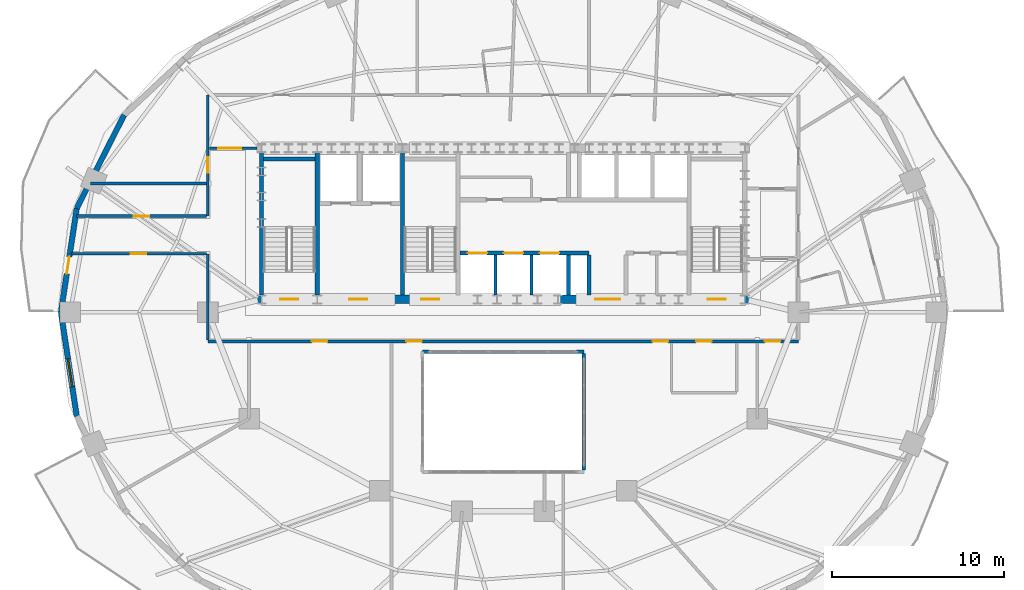
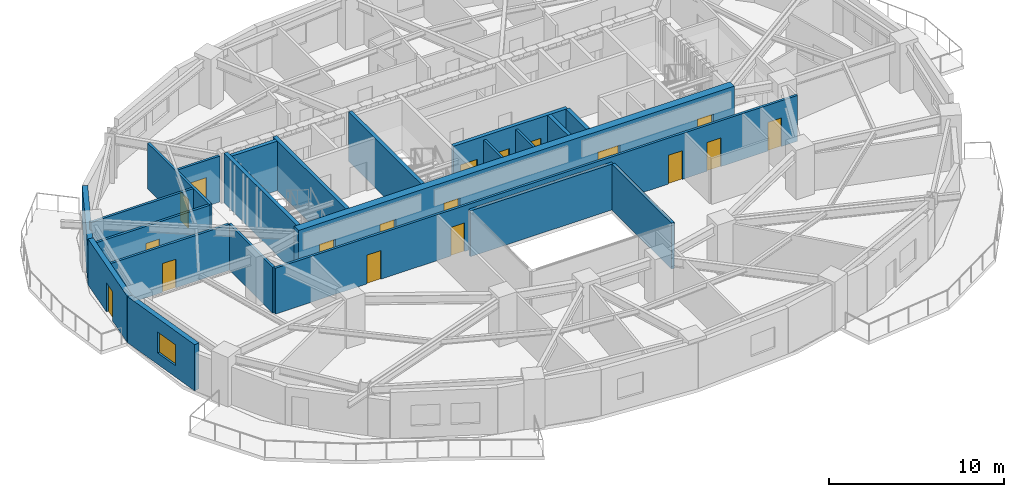
# One storey, part 6 of 13: 22 walls, 18 doors, 1 window, 19 openings.
"""IFC4 building model written with IfcOpenShell, lengths in metres."""

from ifc_helpers import new_model, si_unit, direction, frame, frame_2d, origin, place, context, subcontext, project, spatial, rectangle, extrude, material, layer, layer_set, type_object, element, fill, save


model = new_model("IFC4")

# Units and contexts
model_context = context("Model", 3, precision=1e-05, world=origin(), true_north=direction((0.0, 1.0)))
body_context = subcontext(model_context, "Body", "Model", "MODEL_VIEW")
ifc_project = project(units=[si_unit("LENGTHUNIT", "METRE"), si_unit("AREAUNIT", "SQUARE_METRE"), si_unit("VOLUMEUNIT", "CUBIC_METRE"), si_unit("PLANEANGLEUNIT", "RADIAN"), si_unit("MASSUNIT", "GRAM", prefix="KILO")], contexts=[model_context])

# Site, building, storey
site_placement = place(None, origin())
site = spatial("IfcSite", under=ifc_project, at=site_placement, CompositionType="ELEMENT")
building_placement = place(site_placement, origin())
building = spatial("IfcBuilding", under=site, at=building_placement, Name="Haldorwick Loom Tower", CompositionType="ELEMENT")
storey_placement = place(building_placement, frame((0.0, 0.0, 135.64990234375)))
storey = spatial("IfcBuildingStorey", under=building, at=storey_placement, Name="L36", CompositionType="ELEMENT", Elevation=135.64990234375)

# Wall
ifc_material_1 = material(Name="Pressed Clay Face Brick and Insulated Masonry Backup Assembly", Category="masonry")
ifc_layer_1 = layer(ifc_material_1, 0.320068359375, Name="Pressed Clay Face Brick and Insulated Masonry Backup Assembly", Category="masonry")
ifc_layer_set_1 = layer_set([ifc_layer_1], Name="Pressed Clay Face Brick and Insulated Masonry Backup Assembly")
wall_type_1 = type_object("IfcWallType", Name="ARC-WL-EXT320", PredefinedType="STANDARD", material=ifc_layer_set_1)
wall_1_placement = place(storey_placement, frame((13.92333984375, 37.481201171875, 0.0), z_axis=(0.0, 0.0, 1.0), x_axis=(-0.453172129629, -0.89142303141, 0.0)))
element("IfcWall", 1, at=wall_1_placement, inside=storey, type_object=wall_type_1, Name="L36 Brick Pier and Spandrel Wall 11", PredefinedType="STANDARD", context=body_context, shape_type="SweptSolid", body=[
    extrude(rectangle(XDim=6.086669921875, YDim=0.320068359375, at=frame_2d((3.04345703125, 0.0))), origin(), (0.0, 0.0, 1.0), 2.64111328125),
])

# Wall, opening, door
wall_2_placement = place(storey_placement, frame((11.1650390625, 32.055419921875, 0.0), z_axis=(0.0, 0.0, 1.0), x_axis=(-0.150544467684, -0.988603238539, 0.0)))
wall_2 = element("IfcWall", 2, at=wall_2_placement, inside=storey, type_object=wall_type_1, Name="L36 Brick Pier and Spandrel Wall 12", PredefinedType="STANDARD", context=body_context, shape_type="SweptSolid", body=[
    extrude(rectangle(XDim=6.125244140625, YDim=0.320068359375, at=frame_2d((3.0625, 0.0))), origin(), (0.0, 0.0, 1.0), 3.210205078125),
])
opening_1_placement = place(wall_2_placement, frame((2.863037109375, 0.0, 0.0)))
opening_1 = element("IfcOpeningElement", 3, at=opening_1_placement, cuts=wall_2, Name="Opening D-BL10", PredefinedType="OPENING", context=body_context, shape_type="SweptSolid", body=[
    extrude(rectangle(XDim=1.0, YDim=2.0400390625, at=frame_2d((0.5, 1.02001953125))), frame((0.0, 0.169921875, 0.0), z_axis=(0.0, -1.0, 0.0), x_axis=(1.0, 0.0, 0.0)), (0.0, 0.0, 1.0), 0.340087890625),
])
ifc_material_2 = material(Name="Thermally Broken Anodized Aluminium Curtain Wall Framing", Category="aluminium")
door_type_1 = type_object("IfcDoorType", Name="ARC-DR-BAL100", OperationType="NOTDEFINED", PredefinedType="DOOR", material=ifc_material_2)
door_1_placement = place(opening_1_placement, origin())
door_1 = element("IfcDoor", 4, at=door_1_placement, inside=storey, type_object=door_type_1, Name="L36 Outdoor Terrace Door SLB-L36-BAL_WNW", OperationType="SINGLE_SWING_LEFT", OverallHeight=2.0400390625, OverallWidth=1.0, PredefinedType="DOOR", context=body_context, shape_type="SweptSolid", body=[
    extrude(rectangle(XDim=1.0, YDim=2.0400390625, at=frame_2d((0.5, 1.02001953125))), frame((0.0, 0.02490234375, 0.0), z_axis=(0.0, -1.0, 0.0), x_axis=(1.0, 0.0, 0.0)), (0.0, 0.0, 1.0), 0.050048828125),
])
fill(opening_1, door_1)

# Wall, opening, window
wall_3_placement = place(storey_placement, frame((10.242919921875, 26.0, 0.0), z_axis=(0.0, 0.0, 1.0), x_axis=(0.150544467684, -0.988603238539, 0.0)))
wall_3 = element("IfcWall", 5, at=wall_3_placement, inside=storey, type_object=wall_type_1, Name="L36 Brick Pier and Spandrel Wall 13", PredefinedType="STANDARD", context=body_context, shape_type="SweptSolid", body=[
    extrude(rectangle(XDim=6.125244140625, YDim=0.320068359375, at=frame_2d((3.0625, 0.0))), origin(), (0.0, 0.0, 1.0), 3.210205078125),
])
opening_2_placement = place(wall_3_placement, frame((2.749755859375, 0.0, 0.800048828125)))
opening_2 = element("IfcOpeningElement", 6, at=opening_2_placement, cuts=wall_3, Name="Opening W-01B", PredefinedType="OPENING", context=body_context, shape_type="SweptSolid", body=[
    extrude(rectangle(XDim=1.64990234375, YDim=1.449951171875, at=frame_2d((0.824951171875, 0.72509765625))), frame((0.0, 0.169921875, 0.0), z_axis=(0.0, -1.0, 0.0), x_axis=(1.0, 0.0, 0.0)), (0.0, 0.0, 1.0), 0.340087890625),
])
ifc_material_3 = material(Name="Triple-Glazed Low-E Argon Insulated Glazing Unit", Category="glass")
window_type = type_object("IfcWindowType", Name="ARC-WIN-W165", PartitioningType="SINGLE_PANEL", PredefinedType="WINDOW", material=ifc_material_3)
window_placement = place(opening_2_placement, origin())
window = element("IfcWindow", 7, at=window_placement, inside=storey, type_object=window_type, Name="L36 Deep-Set Zone 7A Window 13", OverallHeight=1.449951171875, OverallWidth=1.64990234375, PartitioningType="SINGLE_PANEL", PredefinedType="WINDOW", context=body_context, shape_type="SweptSolid", body=[
    extrude(rectangle(XDim=1.64990234375, YDim=1.449951171875, at=frame_2d((0.824951171875, 0.72509765625))), frame((0.0, 0.030029296875, 0.0), z_axis=(0.0, -1.0, 0.0), x_axis=(1.0, 0.0, 0.0)), (0.0, 0.0, 1.0), 0.06005859375),
])
fill(opening_2, window)

# Wall, openings, doors
ifc_material_4 = material(Name="Fire-Rated Type X Gypsum Stud Assembly EI 60")
ifc_layer_2 = layer(ifc_material_4, 0.159912109375, Name="Fire-Rated Type X Gypsum Stud Assembly EI 60")
ifc_layer_set_2 = layer_set([ifc_layer_2], Name="Fire-Rated Type X Gypsum Stud Assembly EI 60")
wall_type_2 = type_object("IfcWallType", Name="ARC-WL-FIRE160", PredefinedType="PARTITIONING", material=ifc_layer_set_2)
wall_4_placement = place(storey_placement, frame((18.800048828125, 24.300048828125, 0.0), z_axis=(0.0, 0.0, 1.0), x_axis=(1.0, 0.0, 0.0)))
wall_4 = element("IfcWall", 8, at=wall_4_placement, inside=storey, type_object=wall_type_2, Name="L36 Residential Fire Partition L36-CR-SP", PredefinedType="PARTITIONING", context=body_context, shape_type="SweptSolid", body=[
    extrude(rectangle(XDim=34.39990234375, YDim=0.159912109375, at=frame_2d((17.199951171875, 0.0))), origin(), (0.0, 0.0, 1.0), 3.195068359375),
])
opening_3_placement = place(wall_4_placement, frame((25.9013671875, 0.0, 0.0)))
opening_3 = element("IfcOpeningElement", 9, at=opening_3_placement, cuts=wall_4, Name="Opening D-FD60A", PredefinedType="OPENING", context=body_context, shape_type="SweptSolid", body=[
    extrude(rectangle(XDim=0.89990234375, YDim=2.0, at=frame_2d((0.449951171875, 1.0))), frame((0.0, 0.08984375, 0.0), z_axis=(0.0, -1.0, 0.0), x_axis=(1.0, 0.0, 0.0)), (0.0, 0.0, 1.0), 0.179931640625),
])
opening_4_placement = place(wall_4_placement, frame((11.56591796875, 0.0, 0.0)))
opening_4 = element("IfcOpeningElement", 10, at=opening_4_placement, cuts=wall_4, Name="Opening D-FD60A", PredefinedType="OPENING", context=body_context, shape_type="SweptSolid", body=[
    extrude(rectangle(XDim=0.89990234375, YDim=2.0, at=frame_2d((0.449951171875, 1.0))), frame((0.0, 0.08984375, 0.0), z_axis=(0.0, -1.0, 0.0), x_axis=(1.0, 0.0, 0.0)), (0.0, 0.0, 1.0), 0.179931640625),
])
opening_5_placement = place(wall_4_placement, frame((6.05517578125, 0.0, 0.0)))
opening_5 = element("IfcOpeningElement", 11, at=opening_5_placement, cuts=wall_4, Name="Opening D-FD60A", PredefinedType="OPENING", context=body_context, shape_type="SweptSolid", body=[
    extrude(rectangle(XDim=0.89990234375, YDim=2.0, at=frame_2d((0.449951171875, 1.0))), frame((0.0, 0.08984375, 0.0), z_axis=(0.0, -1.0, 0.0), x_axis=(1.0, 0.0, 0.0)), (0.0, 0.0, 1.0), 0.179931640625),
])
opening_6_placement = place(wall_4_placement, frame((28.437255859375, 0.0, 0.0)))
opening_6 = element("IfcOpeningElement", 12, at=opening_6_placement, cuts=wall_4, Name="Opening D-FD60A", PredefinedType="OPENING", context=body_context, shape_type="SweptSolid", body=[
    extrude(rectangle(XDim=0.89990234375, YDim=2.0, at=frame_2d((0.449951171875, 1.0))), frame((0.0, 0.08984375, 0.0), z_axis=(0.0, -1.0, 0.0), x_axis=(1.0, 0.0, 0.0)), (0.0, 0.0, 1.0), 0.179931640625),
])
opening_7_placement = place(wall_4_placement, frame((32.436767578125, 0.0, 0.0)))
opening_7 = element("IfcOpeningElement", 13, at=opening_7_placement, cuts=wall_4, Name="Opening D-FD60A", PredefinedType="OPENING", context=body_context, shape_type="SweptSolid", body=[
    extrude(rectangle(XDim=0.89990234375, YDim=2.0, at=frame_2d((0.449951171875, 1.0))), frame((0.0, 0.08984375, 0.0), z_axis=(0.0, -1.0, 0.0), x_axis=(1.0, 0.0, 0.0)), (0.0, 0.0, 1.0), 0.179931640625),
])
ifc_material_5 = material(Name="Hollow Steel Fire Door Assembly", Category="steel")
door_type_2 = type_object("IfcDoorType", Name="ARC-DR-FD60-90", OperationType="NOTDEFINED", PredefinedType="DOOR", material=ifc_material_5)
door_2_placement = place(opening_3_placement, origin())
door_2 = element("IfcDoor", 14, at=door_2_placement, inside=storey, type_object=door_type_2, Name="L36 L36 Central Residential Corridor to Shared Resident Dining Hall 2 Do", OperationType="SINGLE_SWING_RIGHT", OverallHeight=2.0, OverallWidth=0.89990234375, PredefinedType="DOOR", context=body_context, shape_type="SweptSolid", body=[
    extrude(rectangle(XDim=0.89990234375, YDim=2.0, at=frame_2d((0.449951171875, 1.0))), frame((0.0, 0.02490234375, 0.0), z_axis=(0.0, -1.0, 0.0), x_axis=(1.0, 0.0, 0.0)), (0.0, 0.0, 1.0), 0.050048828125),
])
fill(opening_3, door_2)
door_3_placement = place(opening_4_placement, origin())
door_3 = element("IfcDoor", 15, at=door_3_placement, inside=storey, type_object=door_type_2, Name="L36 L36 Central Residential Corridor to Shared Resident Dining Hall 1 Do", OperationType="SINGLE_SWING_LEFT", OverallHeight=2.0, OverallWidth=0.89990234375, PredefinedType="DOOR", context=body_context, shape_type="SweptSolid", body=[
    extrude(rectangle(XDim=0.89990234375, YDim=2.0, at=frame_2d((0.449951171875, 1.0))), frame((0.0, 0.02490234375, 0.0), z_axis=(0.0, -1.0, 0.0), x_axis=(1.0, 0.0, 0.0)), (0.0, 0.0, 1.0), 0.050048828125),
])
fill(opening_4, door_3)
door_4_placement = place(opening_5_placement, origin())
door_4 = element("IfcDoor", 16, at=door_4_placement, inside=storey, type_object=door_type_2, Name="L36 L36 Central Residential Corridor to Shared Resident Dining Hall 3 Do", OperationType="SINGLE_SWING_RIGHT", OverallHeight=2.0, OverallWidth=0.89990234375, PredefinedType="DOOR", context=body_context, shape_type="SweptSolid", body=[
    extrude(rectangle(XDim=0.89990234375, YDim=2.0, at=frame_2d((0.449951171875, 1.0))), frame((0.0, 0.02490234375, 0.0), z_axis=(0.0, -1.0, 0.0), x_axis=(1.0, 0.0, 0.0)), (0.0, 0.0, 1.0), 0.050048828125),
])
fill(opening_5, door_4)
door_5_placement = place(opening_6_placement, origin())
door_5 = element("IfcDoor", 17, at=door_5_placement, inside=storey, type_object=door_type_2, Name="L36 L36 Central Residential Corridor to Common Accessible WC Door", OperationType="SINGLE_SWING_RIGHT", OverallHeight=2.0, OverallWidth=0.89990234375, PredefinedType="DOOR", context=body_context, shape_type="SweptSolid", body=[
    extrude(rectangle(XDim=0.89990234375, YDim=2.0, at=frame_2d((0.449951171875, 1.0))), frame((0.0, 0.02490234375, 0.0), z_axis=(0.0, -1.0, 0.0), x_axis=(1.0, 0.0, 0.0)), (0.0, 0.0, 1.0), 0.050048828125),
])
fill(opening_6, door_5)
door_6_placement = place(opening_7_placement, origin())
door_6 = element("IfcDoor", 18, at=door_6_placement, inside=storey, type_object=door_type_2, Name="L36 L36 Central Residential Corridor to Shared Resident Dining Hall 2 Do", OperationType="SINGLE_SWING_LEFT", OverallHeight=2.0, OverallWidth=0.89990234375, PredefinedType="DOOR", context=body_context, shape_type="SweptSolid", body=[
    extrude(rectangle(XDim=0.89990234375, YDim=2.0, at=frame_2d((0.449951171875, 1.0))), frame((0.0, 0.02490234375, 0.0), z_axis=(0.0, -1.0, 0.0), x_axis=(1.0, 0.0, 0.0)), (0.0, 0.0, 1.0), 0.050048828125),
])
fill(opening_7, door_6)

# Wall
wall_5_placement = place(storey_placement, frame((18.800048828125, 24.383056640625, 0.0), z_axis=(0.0, 0.0, 1.0), x_axis=(0.0, 1.0, 0.0)))
element("IfcWall", 19, at=wall_5_placement, inside=storey, type_object=wall_type_2, Name="L36 Residential Fire Partition L36-CR-W0A", PredefinedType="PARTITIONING", context=body_context, shape_type="SweptSolid", body=[
    extrude(rectangle(XDim=5.016845703125, YDim=0.159912109375, at=frame_2d((2.50830078125, 0.0))), origin(), (0.0, 0.0, 1.0), 3.195068359375),
])

# Wall, opening, door
wall_6_placement = place(storey_placement, frame((18.800048828125, 31.60009765625, 0.0), z_axis=(0.0, 0.0, 1.0), x_axis=(0.0, 1.0, 0.0)))
wall_6 = element("IfcWall", 20, at=wall_6_placement, inside=storey, type_object=wall_type_2, Name="L36 Residential Fire Partition L36-CR-W0B", PredefinedType="PARTITIONING", context=body_context, shape_type="SweptSolid", body=[
    extrude(rectangle(XDim=7.0498046875, YDim=0.159912109375, at=frame_2d((3.52490234375, 0.0))), origin(), (0.0, 0.0, 1.0), 3.195068359375),
])
opening_8_placement = place(wall_6_placement, frame((2.524169921875, 0.0, 0.0)))
opening_8 = element("IfcOpeningElement", 21, at=opening_8_placement, cuts=wall_6, Name="Opening D-FD60A", PredefinedType="OPENING", context=body_context, shape_type="SweptSolid", body=[
    extrude(rectangle(XDim=0.89990234375, YDim=2.0, at=frame_2d((0.449951171875, 1.0))), frame((0.0, 0.08984375, 0.0), z_axis=(0.0, -1.0, 0.0), x_axis=(1.0, 0.0, 0.0)), (0.0, 0.0, 1.0), 0.179931640625),
])
door_7_placement = place(opening_8_placement, frame((0.89990234375, 0.0, 0.0), z_axis=(0.0, 0.0, 1.0), x_axis=(-1.0, 0.0, 0.0)))
door_7 = element("IfcDoor", 22, at=door_7_placement, inside=storey, type_object=door_type_2, Name="L36 Shared Resident Dining Hall 5 to L36 Central Residential Corridor Do", OperationType="SINGLE_SWING_RIGHT", OverallHeight=2.0, OverallWidth=0.89990234375, PredefinedType="DOOR", context=body_context, shape_type="SweptSolid", body=[
    extrude(rectangle(XDim=0.89990234375, YDim=2.0, at=frame_2d((0.449951171875, 1.0))), frame((0.0, 0.02490234375, 0.0), z_axis=(0.0, -1.0, 0.0), x_axis=(1.0, 0.0, 0.0)), (0.0, 0.0, 1.0), 0.050048828125),
])
fill(opening_8, door_7)

wall_7_placement = place(storey_placement, frame((10.826416015625, 29.39990234375, 0.0), z_axis=(0.0, 0.0, 1.0), x_axis=(1.0, 0.0, 0.0)))
wall_7 = element("IfcWall", 23, at=wall_7_placement, inside=storey, type_object=wall_type_2, Name="L36 Residential Fire Partition L36-CR-GW0", PredefinedType="PARTITIONING", context=body_context, shape_type="SweptSolid", body=[
    extrude(rectangle(XDim=7.890625, YDim=0.159912109375, at=frame_2d((3.9453125, 0.0))), origin(), (0.0, 0.0, 1.0), 3.195068359375),
])
opening_9_placement = place(wall_7_placement, frame((3.4951171875, 0.0, 0.0)))
opening_9 = element("IfcOpeningElement", 24, at=opening_9_placement, cuts=wall_7, Name="Opening D-FD60A", PredefinedType="OPENING", context=body_context, shape_type="SweptSolid", body=[
    extrude(rectangle(XDim=0.89990234375, YDim=2.0, at=frame_2d((0.449951171875, 1.0))), frame((0.0, 0.08984375, 0.0), z_axis=(0.0, -1.0, 0.0), x_axis=(1.0, 0.0, 0.0)), (0.0, 0.0, 1.0), 0.179931640625),
])
door_8_placement = place(opening_9_placement, origin())
door_8 = element("IfcDoor", 25, at=door_8_placement, inside=storey, type_object=door_type_2, Name="L36 L36 Central Residential Corridor to Shared Resident Dining Hall 3 Do", OperationType="SINGLE_SWING_LEFT", OverallHeight=2.0, OverallWidth=0.89990234375, PredefinedType="DOOR", context=body_context, shape_type="SweptSolid", body=[
    extrude(rectangle(XDim=0.89990234375, YDim=2.0, at=frame_2d((0.449951171875, 1.0))), frame((0.0, 0.02490234375, 0.0), z_axis=(0.0, -1.0, 0.0), x_axis=(1.0, 0.0, 0.0)), (0.0, 0.0, 1.0), 0.050048828125),
])
fill(opening_9, door_8)

wall_8_placement = place(storey_placement, frame((11.16162109375, 31.60009765625, 0.0), z_axis=(0.0, 0.0, 1.0), x_axis=(1.0, 0.0, 0.0)))
wall_8 = element("IfcWall", 26, at=wall_8_placement, inside=storey, type_object=wall_type_2, Name="L36 Residential Fire Partition L36-CR-GW1", PredefinedType="PARTITIONING", context=body_context, shape_type="SweptSolid", body=[
    extrude(rectangle(XDim=7.555419921875, YDim=0.159912109375, at=frame_2d((3.77783203125, 0.0))), origin(), (0.0, 0.0, 1.0), 3.195068359375),
])
opening_10_placement = place(wall_8_placement, frame((3.32763671875, 0.0, 0.0)))
opening_10 = element("IfcOpeningElement", 27, at=opening_10_placement, cuts=wall_8, Name="Opening D-FD60A", PredefinedType="OPENING", context=body_context, shape_type="SweptSolid", body=[
    extrude(rectangle(XDim=0.89990234375, YDim=2.0, at=frame_2d((0.449951171875, 1.0))), frame((0.0, 0.08984375, 0.0), z_axis=(0.0, -1.0, 0.0), x_axis=(1.0, 0.0, 0.0)), (0.0, 0.0, 1.0), 0.179931640625),
])
door_9_placement = place(opening_10_placement, frame((0.89990234375, 0.0, 0.0), z_axis=(0.0, 0.0, 1.0), x_axis=(-1.0, 0.0, 0.0)))
door_9 = element("IfcDoor", 28, at=door_9_placement, inside=storey, type_object=door_type_2, Name="L36 Shared Dining Hall 1 to L36 Central Residential Corridor Door", OperationType="SINGLE_SWING_RIGHT", OverallHeight=2.0, OverallWidth=0.89990234375, PredefinedType="DOOR", context=body_context, shape_type="SweptSolid", body=[
    extrude(rectangle(XDim=0.89990234375, YDim=2.0, at=frame_2d((0.449951171875, 1.0))), frame((0.0, 0.02490234375, 0.0), z_axis=(0.0, -1.0, 0.0), x_axis=(1.0, 0.0, 0.0)), (0.0, 0.0, 1.0), 0.050048828125),
])
fill(opening_10, door_9)

wall_9_placement = place(storey_placement, frame((18.883056640625, 35.550048828125, 0.0), z_axis=(0.0, 0.0, 1.0), x_axis=(1.0, 0.0, 0.0)))
wall_9 = element("IfcWall", 29, at=wall_9_placement, inside=storey, type_object=wall_type_2, Name="L36 Residential Fire Partition L36-CR-WNC", PredefinedType="PARTITIONING", context=body_context, shape_type="SweptSolid", body=[
    extrude(rectangle(XDim=2.766845703125, YDim=0.159912109375, at=frame_2d((1.38330078125, 0.0))), origin(), (0.0, 0.0, 1.0), 3.195068359375),
])
opening_11_placement = place(wall_9_placement, frame((0.524169921875, 0.0, 0.0)))
opening_11 = element("IfcOpeningElement", 30, at=opening_11_placement, cuts=wall_9, Name="Opening D-CR15", PredefinedType="OPENING", context=body_context, shape_type="SweptSolid", body=[
    extrude(rectangle(XDim=1.35009765625, YDim=2.0, at=frame_2d((0.675048828125, 1.0))), frame((0.0, 0.08984375, 0.0), z_axis=(0.0, -1.0, 0.0), x_axis=(1.0, 0.0, 0.0)), (0.0, 0.0, 1.0), 0.179931640625),
])
ifc_material_6 = material(Name="Thermally Broken Anodized Aluminium and Tempered Glass", Category="aluminium")
door_type_3 = type_object("IfcDoorType", Name="ARC-DR-COR150", OperationType="NOTDEFINED", PredefinedType="DOOR", material=ifc_material_6)
door_10_placement = place(opening_11_placement, origin())
door_10 = element("IfcDoor", 31, at=door_10_placement, inside=storey, type_object=door_type_3, Name="L36 L36 North Residential Corridor to L36 Central Residential Corridor D", OperationType="DOUBLE_DOOR_SINGLE_SWING", OverallHeight=2.0, OverallWidth=1.35009765625, PredefinedType="DOOR", context=body_context, shape_type="SweptSolid", body=[
    extrude(rectangle(XDim=1.35009765625, YDim=2.0, at=frame_2d((0.675048828125, 1.0))), frame((0.0, 0.02490234375, 0.0), z_axis=(0.0, -1.0, 0.0), x_axis=(1.0, 0.0, 0.0)), (0.0, 0.0, 1.0), 0.050048828125),
])
fill(opening_11, door_10)

# Walls
wall_10_placement = place(storey_placement, frame((11.972412109375, 33.5, 0.0), z_axis=(0.0, 0.0, 1.0), x_axis=(1.0, 0.0, 0.0)))
element("IfcWall", 32, at=wall_10_placement, inside=storey, type_object=wall_type_2, Name="L36 Residential Fire Partition L36-FLW-15", PredefinedType="PARTITIONING", context=body_context, shape_type="SweptSolid", body=[
    extrude(rectangle(XDim=6.74462890625, YDim=0.159912109375, at=frame_2d((3.372314453125, 0.0))), origin(), (0.0, 0.0, 1.0), 3.195068359375),
])
ifc_material_7 = material(Name="Fire-Rated Type X Gypsum Stud Assembly EI 120")
ifc_layer_3 = layer(ifc_material_7, 0.199951171875, Name="Fire-Rated Type X Gypsum Stud Assembly EI 120")
ifc_layer_set_3 = layer_set([ifc_layer_3], Name="Fire-Rated Type X Gypsum Stud Assembly EI 120")
wall_type_3 = type_object("IfcWallType", Name="ARC-WL-FIRE200", PredefinedType="PARTITIONING", material=ifc_layer_set_3)
wall_11_placement = place(storey_placement, frame((31.300048828125, 23.699951171875, 0.0), z_axis=(0.0, 0.0, 1.0), x_axis=(1.0, 0.0, 0.0)))
element("IfcWall", 33, at=wall_11_placement, inside=storey, type_object=wall_type_3, Name="L36 Atrium Fire Enclosure Wall N", PredefinedType="PARTITIONING", context=body_context, shape_type="SweptSolid", body=[
    extrude(rectangle(XDim=9.39990234375, YDim=0.199951171875, at=frame_2d((4.699951171875, 0.0))), origin(), (0.0, 0.0, 1.0), 3.195068359375),
])
wall_12_placement = place(storey_placement, frame((40.699951171875, 23.596923828125, 0.0), z_axis=(0.0, 0.0, 1.0), x_axis=(0.0, -1.0, 0.0)))
element("IfcWall", 34, at=wall_12_placement, inside=storey, type_object=wall_type_3, Name="L36 Atrium Fire Enclosure Wall E", PredefinedType="PARTITIONING", context=body_context, shape_type="SweptSolid", body=[
    extrude(rectangle(XDim=6.7939453125, YDim=0.199951171875, at=frame_2d((3.39697265625, 0.0))), origin(), (0.0, 0.0, 1.0), 3.195068359375),
])
ifc_layer_4 = layer(ifc_material_7, 0.1650390625, Name="Fire-Rated Type X Gypsum Stud Assembly EI 120")
ifc_layer_set_4 = layer_set([ifc_layer_4], Name="Fire-Rated Type X Gypsum Stud Assembly EI 120")
wall_type_4 = type_object("IfcWallType", Name="ARC-WL-SHAFT160", PredefinedType="MOVABLE", material=ifc_layer_set_4)
for number, where, z_axis, x_axis, name in (
    (35, (35.550048828125, 27.0029296875, 0.0), (0.0, 0.0, 1.0), (0.0, 1.0, 0.0), "L36 Mid-Rise Hoistway Divider 1"),
    (36, (37.64990234375, 27.0029296875, 0.0), (0.0, 0.0, 1.0), (0.0, 1.0, 0.0), "L36 Mid-Rise Hoistway Divider 2"),
):
    element("IfcWall", number, at=place(storey_placement, frame(where, z_axis=z_axis, x_axis=x_axis)), inside=storey, type_object=wall_type_4, Name=name, PredefinedType="MOVABLE", context=body_context, shape_type="SweptSolid", body=[
        extrude(rectangle(XDim=2.323974609375, YDim=0.159912109375, at=frame_2d((1.162109375, 0.0))), origin(), (0.0, 0.0, 1.0), 3.195068359375),
    ])

# Wall, openings, doors
ifc_material_8 = material(Name="Concrete C60 (60 MPa)", Category="concrete")
ifc_layer_5 = layer(ifc_material_8, 0.5, Name="Concrete C60 (60 MPa)", Category="concrete")
ifc_layer_set_5 = layer_set([ifc_layer_5], Name="Concrete C60 (60 MPa)")
wall_type_5 = type_object("IfcWallType", Name="STR-WL-CORE500", PredefinedType="SHEAR", material=ifc_layer_set_5)
wall_13_placement = place(storey_placement, frame((21.64990234375, 26.75, 0.0), z_axis=(0.0, 0.0, 1.0), x_axis=(1.0, 0.0, 0.0)))
wall_13 = element("IfcWall", 37, at=wall_13_placement, inside=storey, type_object=wall_type_5, Name="L36 Core Shear Wall S", PredefinedType="SHEAR", context=body_context, shape_type="SweptSolid", body=[
    extrude(rectangle(XDim=28.7001953125, YDim=0.5, at=frame_2d((14.35009765625, 0.0))), origin(), (0.0, 0.0, 1.0), 3.4501953125),
])
opening_12_placement = place(wall_13_placement, frame((1.375, 0.0, 0.0)))
opening_12 = element("IfcOpeningElement", 38, at=opening_12_placement, cuts=wall_13, Name="Opening D-FD60", PredefinedType="OPENING", context=body_context, shape_type="SweptSolid", body=[
    extrude(rectangle(XDim=1.050048828125, YDim=2.0, at=frame_2d((0.52490234375, 1.0))), frame((0.0, 0.260009765625, 0.0), z_axis=(0.0, -1.0, 0.0), x_axis=(1.0, 0.0, 0.0)), (0.0, 0.0, 1.0), 0.52001953125),
])
opening_13_placement = place(wall_13_placement, frame((5.375, 0.0, 0.0)))
opening_13 = element("IfcOpeningElement", 39, at=opening_13_placement, cuts=wall_13, Name="Opening D-FD60", PredefinedType="OPENING", context=body_context, shape_type="SweptSolid", body=[
    extrude(rectangle(XDim=1.050048828125, YDim=2.0, at=frame_2d((0.52490234375, 1.0))), frame((0.0, 0.260009765625, 0.0), z_axis=(0.0, -1.0, 0.0), x_axis=(1.0, 0.0, 0.0)), (0.0, 0.0, 1.0), 0.52001953125),
])
opening_14_placement = place(wall_13_placement, frame((9.574951171875, 0.0, 0.0)))
opening_14 = element("IfcOpeningElement", 40, at=opening_14_placement, cuts=wall_13, Name="Opening D-FD60", PredefinedType="OPENING", context=body_context, shape_type="SweptSolid", body=[
    extrude(rectangle(XDim=1.050048828125, YDim=2.0, at=frame_2d((0.52490234375, 1.0))), frame((0.0, 0.260009765625, 0.0), z_axis=(0.0, -1.0, 0.0), x_axis=(1.0, 0.0, 0.0)), (0.0, 0.0, 1.0), 0.52001953125),
])
opening_15_placement = place(wall_13_placement, frame((19.705078125, 0.0, 0.0)))
opening_15 = element("IfcOpeningElement", 41, at=opening_15_placement, cuts=wall_13, Name="Opening D-LB15", PredefinedType="OPENING", context=body_context, shape_type="SweptSolid", body=[
    extrude(rectangle(XDim=1.449951171875, YDim=2.0, at=frame_2d((0.72509765625, 1.0))), frame((0.0, 0.260009765625, 0.0), z_axis=(0.0, -1.0, 0.0), x_axis=(1.0, 0.0, 0.0)), (0.0, 0.0, 1.0), 0.52001953125),
])
opening_16_placement = place(wall_13_placement, frame((26.27490234375, 0.0, 0.0)))
opening_16 = element("IfcOpeningElement", 42, at=opening_16_placement, cuts=wall_13, Name="Opening D-FD60", PredefinedType="OPENING", context=body_context, shape_type="SweptSolid", body=[
    extrude(rectangle(XDim=1.050048828125, YDim=2.0, at=frame_2d((0.52490234375, 1.0))), frame((0.0, 0.260009765625, 0.0), z_axis=(0.0, -1.0, 0.0), x_axis=(1.0, 0.0, 0.0)), (0.0, 0.0, 1.0), 0.52001953125),
])
door_type_4 = type_object("IfcDoorType", Name="ARC-DR-FD60", OperationType="NOTDEFINED", PredefinedType="DOOR", material=ifc_material_5)
door_11_placement = place(opening_12_placement, origin())
door_11 = element("IfcDoor", 43, at=door_11_placement, inside=storey, type_object=door_type_4, Name="L36 Exit Stair ST-01 Fire Door", OperationType="SINGLE_SWING_RIGHT", OverallHeight=2.0, OverallWidth=1.050048828125, PredefinedType="DOOR", context=body_context, shape_type="SweptSolid", body=[
    extrude(rectangle(XDim=1.050048828125, YDim=2.0, at=frame_2d((0.52490234375, 1.0))), frame((0.0, 0.02490234375, 0.0), z_axis=(0.0, -1.0, 0.0), x_axis=(1.0, 0.0, 0.0)), (0.0, 0.0, 1.0), 0.050048828125),
])
fill(opening_12, door_11)
door_12_placement = place(opening_13_placement, origin())
door_12 = element("IfcDoor", 44, at=door_12_placement, inside=storey, type_object=door_type_4, Name="L36 Firefighting Lift Lobby Fire Door", OperationType="SINGLE_SWING_LEFT", OverallHeight=2.0, OverallWidth=1.050048828125, PredefinedType="DOOR", context=body_context, shape_type="SweptSolid", body=[
    extrude(rectangle(XDim=1.050048828125, YDim=2.0, at=frame_2d((0.52490234375, 1.0))), frame((0.0, 0.02490234375, 0.0), z_axis=(0.0, -1.0, 0.0), x_axis=(1.0, 0.0, 0.0)), (0.0, 0.0, 1.0), 0.050048828125),
])
fill(opening_13, door_12)
door_13_placement = place(opening_14_placement, origin())
door_13 = element("IfcDoor", 45, at=door_13_placement, inside=storey, type_object=door_type_4, Name="L36 Exit Stair ST-03 Fire Door", OperationType="SINGLE_SWING_LEFT", OverallHeight=2.0, OverallWidth=1.050048828125, PredefinedType="DOOR", context=body_context, shape_type="SweptSolid", body=[
    extrude(rectangle(XDim=1.050048828125, YDim=2.0, at=frame_2d((0.52490234375, 1.0))), frame((0.0, 0.02490234375, 0.0), z_axis=(0.0, -1.0, 0.0), x_axis=(1.0, 0.0, 0.0)), (0.0, 0.0, 1.0), 0.050048828125),
])
fill(opening_14, door_13)
door_14_placement = place(opening_16_placement, origin())
door_14 = element("IfcDoor", 46, at=door_14_placement, inside=storey, type_object=door_type_4, Name="L36 Exit Stair ST-02 Fire Door", OperationType="SINGLE_SWING_LEFT", OverallHeight=2.0, OverallWidth=1.050048828125, PredefinedType="DOOR", context=body_context, shape_type="SweptSolid", body=[
    extrude(rectangle(XDim=1.050048828125, YDim=2.0, at=frame_2d((0.52490234375, 1.0))), frame((0.0, 0.02490234375, 0.0), z_axis=(0.0, -1.0, 0.0), x_axis=(1.0, 0.0, 0.0)), (0.0, 0.0, 1.0), 0.050048828125),
])
fill(opening_16, door_14)
door_type_5 = type_object("IfcDoorType", Name="ARC-DR-LOB150", OperationType="NOTDEFINED", PredefinedType="DOOR", material=ifc_material_6)
door_15_placement = place(opening_15_placement, frame((1.449951171875, 0.0, 0.0), z_axis=(0.0, 0.0, 1.0), x_axis=(-1.0, 0.0, 0.0)))
door_15 = element("IfcDoor", 47, at=door_15_placement, inside=storey, type_object=door_type_5, Name="L36 Passenger Lift Lobby Fire Door", OperationType="DOUBLE_DOOR_SINGLE_SWING", OverallHeight=2.0, OverallWidth=1.449951171875, PredefinedType="DOOR", context=body_context, shape_type="SweptSolid", body=[
    extrude(rectangle(XDim=1.449951171875, YDim=2.0, at=frame_2d((0.72509765625, 1.0))), frame((0.0, 0.02490234375, 0.0), z_axis=(0.0, -1.0, 0.0), x_axis=(1.0, 0.0, 0.0)), (0.0, 0.0, 1.0), 0.050048828125),
])
fill(opening_15, door_15)

# Walls
ifc_material_9 = material(Name="Concrete C50 (50 MPa)", Category="concrete")
ifc_layer_6 = layer(ifc_material_9, 0.239990234375, Name="Concrete C50 (50 MPa)", Category="concrete")
ifc_layer_set_6 = layer_set([ifc_layer_6], Name="Concrete C50 (50 MPa)")
wall_type_6 = type_object("IfcWallType", Name="STR-WL-SHAFT240", PredefinedType="SHEAR", material=ifc_layer_set_6)
for number, where, z_axis, x_axis, name in (
    (48, (21.929931640625, 35.297119140625, 0.0), (0.0, 0.0, 1.0), (0.0, -1.0, 0.0), "L36 Core Shear Wall W"),
    (49, (25.169921875, 27.0029296875, 0.0), (0.0, 0.0, 1.0), (0.0, 1.0, 0.0), "L36 Core Shear Wall 1"),
):
    element("IfcWall", number, at=place(storey_placement, frame(where, z_axis=z_axis, x_axis=x_axis)), inside=storey, type_object=wall_type_6, Name=name, PredefinedType="SHEAR", context=body_context, shape_type="SweptSolid", body=[
        extrude(rectangle(XDim=8.294189453125, YDim=0.239990234375, at=frame_2d((4.14697265625, 0.0))), origin(), (0.0, 0.0, 1.0), 3.4501953125),
    ])
wall_14_placement = place(storey_placement, frame((22.052978515625, 34.919921875, 0.0), z_axis=(0.0, 0.0, 1.0), x_axis=(1.0, 0.0, 0.0)))
element("IfcWall", 50, at=wall_14_placement, inside=storey, type_object=wall_type_6, Name="L36 Core Shear Wall 1N", PredefinedType="SHEAR", context=body_context, shape_type="SweptSolid", body=[
    extrude(rectangle(XDim=2.994140625, YDim=0.239990234375, at=frame_2d((1.4970703125, 0.0))), origin(), (0.0, 0.0, 1.0), 3.4501953125),
])
wall_15_placement = place(storey_placement, frame((30.1298828125, 27.0029296875, 0.0), z_axis=(0.0, 0.0, 1.0), x_axis=(0.0, 1.0, 0.0)))
element("IfcWall", 51, at=wall_15_placement, inside=storey, type_object=wall_type_6, Name="L36 Core Shear Wall 2", PredefinedType="SHEAR", context=body_context, shape_type="SweptSolid", body=[
    extrude(rectangle(XDim=8.294189453125, YDim=0.239990234375, at=frame_2d((4.14697265625, 0.0))), origin(), (0.0, 0.0, 1.0), 3.4501953125),
])

# Wall, openings, doors
wall_16_placement = place(storey_placement, frame((33.492919921875, 29.449951171875, 0.0), z_axis=(0.0, 0.0, 1.0), x_axis=(1.0, 0.0, 0.0)))
wall_16 = element("IfcWall", 52, at=wall_16_placement, inside=storey, type_object=wall_type_6, Name="L36 Core Shear Wall LS1", PredefinedType="SHEAR", context=body_context, shape_type="SweptSolid", body=[
    extrude(rectangle(XDim=7.507080078125, YDim=0.239990234375, at=frame_2d((3.75341796875, 0.0))), origin(), (0.0, 0.0, 1.0), 3.4501953125),
])
opening_17_placement = place(wall_16_placement, frame((0.447021484375, 0.0, 0.0)))
opening_17 = element("IfcOpeningElement", 53, at=opening_17_placement, cuts=wall_16, Name="Opening LD-M1", PredefinedType="OPENING", context=body_context, shape_type="SweptSolid", body=[
    extrude(rectangle(XDim=1.1201171875, YDim=2.0, at=frame_2d((0.56005859375, 1.0))), frame((0.0, 0.1298828125, 0.0), z_axis=(0.0, -1.0, 0.0), x_axis=(1.0, 0.0, 0.0)), (0.0, 0.0, 1.0), 0.260009765625),
])
opening_18_placement = place(wall_16_placement, frame((2.547119140625, 0.0, 0.0)))
opening_18 = element("IfcOpeningElement", 54, at=opening_18_placement, cuts=wall_16, Name="Opening LD-M2", PredefinedType="OPENING", context=body_context, shape_type="SweptSolid", body=[
    extrude(rectangle(XDim=1.1201171875, YDim=2.0, at=frame_2d((0.56005859375, 1.0))), frame((0.0, 0.1298828125, 0.0), z_axis=(0.0, -1.0, 0.0), x_axis=(1.0, 0.0, 0.0)), (0.0, 0.0, 1.0), 0.260009765625),
])
opening_19_placement = place(wall_16_placement, frame((4.64697265625, 0.0, 0.0)))
opening_19 = element("IfcOpeningElement", 55, at=opening_19_placement, cuts=wall_16, Name="Opening LD-M3", PredefinedType="OPENING", context=body_context, shape_type="SweptSolid", body=[
    extrude(rectangle(XDim=1.1201171875, YDim=2.0, at=frame_2d((0.56005859375, 1.0))), frame((0.0, 0.1298828125, 0.0), z_axis=(0.0, -1.0, 0.0), x_axis=(1.0, 0.0, 0.0)), (0.0, 0.0, 1.0), 0.260009765625),
])
door_type_6 = type_object("IfcDoorType", Name="ARC-DR-LD-PAX", OperationType="NOTDEFINED", PredefinedType="USERDEFINED", material=ifc_material_5)
door_16_placement = place(opening_17_placement, origin())
door_16 = element("IfcDoor", 56, at=door_16_placement, inside=storey, type_object=door_type_6, Name="L36 Lift LF-M1 Sliding Landing Door", ObjectType="LANDING DOOR", OperationType="DOUBLE_DOOR_SLIDING", OverallHeight=2.0, OverallWidth=1.1201171875, PredefinedType="USERDEFINED", context=body_context, shape_type="SweptSolid", body=[
    extrude(rectangle(XDim=1.1201171875, YDim=2.0, at=frame_2d((0.56005859375, 1.0))), frame((0.0, 0.02490234375, 0.0), z_axis=(0.0, -1.0, 0.0), x_axis=(1.0, 0.0, 0.0)), (0.0, 0.0, 1.0), 0.050048828125),
])
fill(opening_17, door_16)
door_17_placement = place(opening_18_placement, origin())
door_17 = element("IfcDoor", 57, at=door_17_placement, inside=storey, type_object=door_type_6, Name="L36 Lift LF-M2 Sliding Landing Door", ObjectType="LANDING DOOR", OperationType="DOUBLE_DOOR_SLIDING", OverallHeight=2.0, OverallWidth=1.1201171875, PredefinedType="USERDEFINED", context=body_context, shape_type="SweptSolid", body=[
    extrude(rectangle(XDim=1.1201171875, YDim=2.0, at=frame_2d((0.56005859375, 1.0))), frame((0.0, 0.02490234375, 0.0), z_axis=(0.0, -1.0, 0.0), x_axis=(1.0, 0.0, 0.0)), (0.0, 0.0, 1.0), 0.050048828125),
])
fill(opening_18, door_17)
door_18_placement = place(opening_19_placement, origin())
door_18 = element("IfcDoor", 58, at=door_18_placement, inside=storey, type_object=door_type_6, Name="L36 Lift LF-M3 Sliding Landing Door", ObjectType="LANDING DOOR", OperationType="DOUBLE_DOOR_SLIDING", OverallHeight=2.0, OverallWidth=1.1201171875, PredefinedType="USERDEFINED", context=body_context, shape_type="SweptSolid", body=[
    extrude(rectangle(XDim=1.1201171875, YDim=2.0, at=frame_2d((0.56005859375, 1.0))), frame((0.0, 0.02490234375, 0.0), z_axis=(0.0, -1.0, 0.0), x_axis=(1.0, 0.0, 0.0)), (0.0, 0.0, 1.0), 0.050048828125),
])
fill(opening_19, door_18)

# Walls
for number, where, z_axis, x_axis, name in (
    (59, (41.0, 27.0029296875, 0.0), (0.0, 0.0, 1.0), (0.0, 1.0, 0.0), "L36 Core Shear Wall THW"),
    (60, (39.800048828125, 27.0029296875, 0.0), (0.0, 0.0, 1.0), (0.0, 1.0, 0.0), "L36 Core Shear Wall MRW"),
):
    element("IfcWall", number, at=place(storey_placement, frame(where, z_axis=z_axis, x_axis=x_axis)), inside=storey, type_object=wall_type_6, Name=name, PredefinedType="SHEAR", context=body_context, shape_type="SweptSolid", body=[
        extrude(rectangle(XDim=2.323974609375, YDim=0.239990234375, at=frame_2d((1.162109375, 0.0))), origin(), (0.0, 0.0, 1.0), 3.4501953125),
    ])

save(model, "model.ifc")
